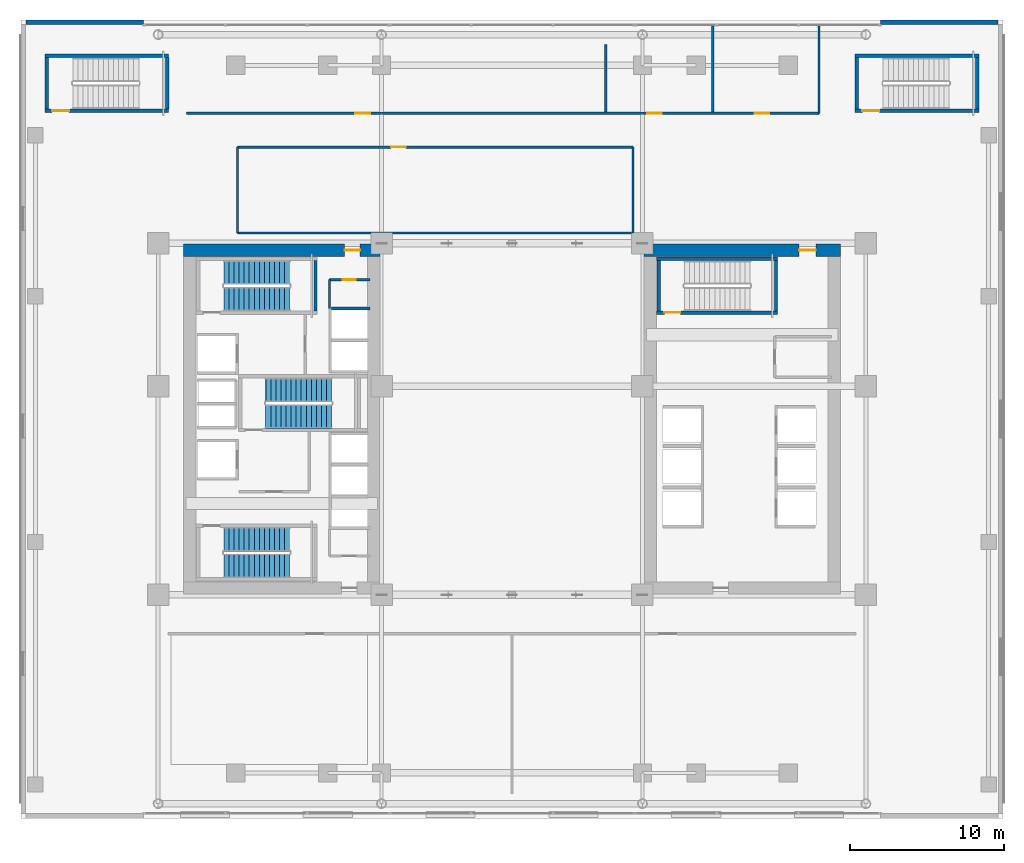
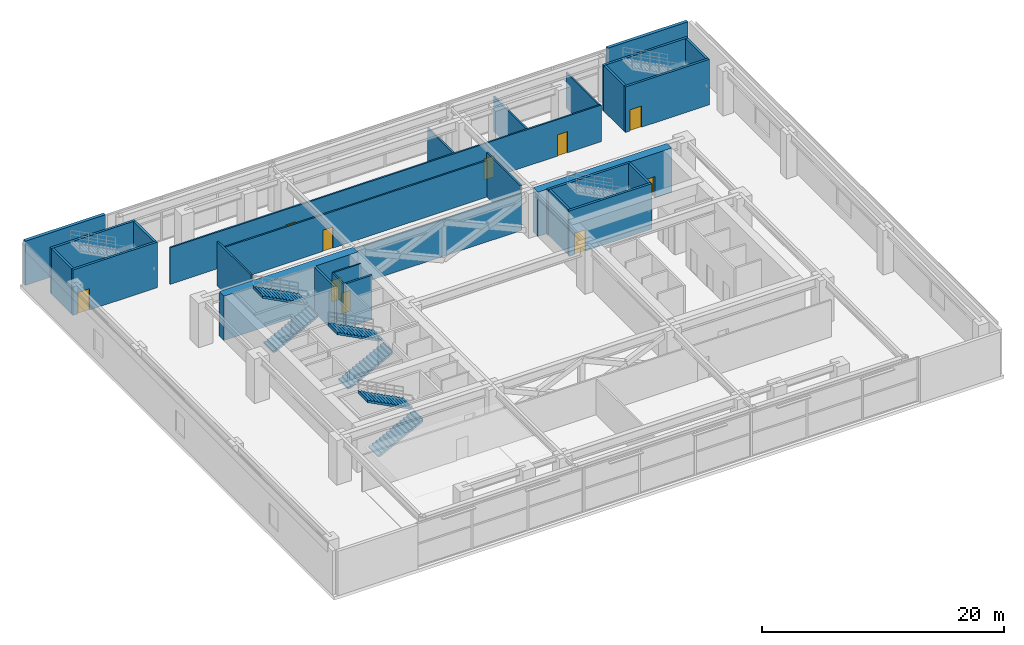
# One storey, part 21 of 28: 28 walls, 10 doors, 6 stair flights, 10 openings, 3 elements without a shape of their own.
"""IFC4 building model written with IfcOpenShell, lengths in metres."""

from ifc_helpers import new_model, si_unit, direction, frame, frame_2d, origin, place, context, subcontext, project, spatial, polyline, rectangle, outline, extrude, source, transform, mapped, material, layer, layer_set, type_object, element, fill, aggregate, save


model = new_model("IFC4")

# Units and contexts
model_context = context("Model", 3, precision=1e-05, world=origin(), true_north=direction((0.0, 1.0)))
body_context = subcontext(model_context, "Body", "Model", "MODEL_VIEW")
ifc_project = project(units=[si_unit("LENGTHUNIT", "METRE"), si_unit("AREAUNIT", "SQUARE_METRE"), si_unit("VOLUMEUNIT", "CUBIC_METRE"), si_unit("PLANEANGLEUNIT", "RADIAN"), si_unit("MASSUNIT", "GRAM", prefix="KILO")], contexts=[model_context])

# Site, building, storey
site_placement = place(None, origin())
site = spatial("IfcSite", under=ifc_project, at=site_placement, CompositionType="ELEMENT")
building_placement = place(site_placement, origin())
building = spatial("IfcBuilding", under=site, at=building_placement, Name="Ocotamira Hotel", CompositionType="ELEMENT")
storey_placement = place(building_placement, frame((0.0, 0.0, 24.0)))
storey = spatial("IfcBuildingStorey", under=building, at=storey_placement, Name="L05", CompositionType="ELEMENT", Elevation=24.0)

# Wall, opening, door
ifc_material_1 = material(Name="Concrete C60/75", Category="concrete")
ifc_layer_1 = layer(ifc_material_1, 0.800048828125)
ifc_layer_set_1 = layer_set([ifc_layer_1], Name="Concrete C60/75")
wall_type_1 = type_object("IfcWallType", Name="WL-CORE-800", PredefinedType="SHEAR", material=ifc_layer_set_1)
wall_1_placement = place(storey_placement, frame((10.60009765625, 37.0, 0.0), z_axis=(0.0, 0.0, 1.0), x_axis=(1.0, 0.0, 0.0)))
wall_1 = element("IfcWall", 1, at=wall_1_placement, inside=storey, type_object=wall_type_1, Name="L05 Shear Core Wall WCORE-N", PredefinedType="SHEAR", context=body_context, shape_type="SweptSolid", body=[
    extrude(rectangle(XDim=12.7998046875, YDim=0.800048828125, at=frame_2d((6.39990234375, 0.0))), origin(), (0.0, 0.0, 1.0), 4.47998046875),
])
opening_1_placement = place(wall_1_placement, frame((10.5, 0.0, 0.0)))
opening_1 = element("IfcOpeningElement", 2, at=opening_1_placement, cuts=wall_1, Name="Opening D-FR2", PredefinedType="OPENING", context=body_context, shape_type="SweptSolid", body=[
    extrude(rectangle(XDim=1.0, YDim=2.14990234375, at=frame_2d((0.5, 1.074951171875))), frame((0.0, 0.41015625, 0.0), z_axis=(0.0, -1.0, 0.0), x_axis=(1.0, 0.0, 0.0)), (0.0, 0.0, 1.0), 0.820068359375),
])
ifc_material_2 = material(Name="Fire-rated acoustic timber-veneer door", Category="wood")
door_type_1 = type_object("IfcDoorType", Name="DR-FIRE-1000", OperationType="NOTDEFINED", PredefinedType="DOOR", material=ifc_material_2)
shared_shape_1 = source(origin(), body_context, "Body", "SweptSolid", [
    extrude(rectangle(XDim=1.0, YDim=2.14990234375, at=frame_2d((0.5, 1.074951171875))), frame((0.0, 0.02490234375, 0.0), z_axis=(0.0, -1.0, 0.0), x_axis=(1.0, 0.0, 0.0)), (0.0, 0.0, 1.0), 0.050048828125),
])
door_1_placement = place(opening_1_placement, origin())
door_1 = element("IfcDoor", 3, at=door_1_placement, inside=storey, type_object=door_type_1, Name="L05 Door ID-L05-WLOB-N-D [ID-L05-WLOB-N-D]", OperationType="SINGLE_SWING_RIGHT", OverallHeight=2.14990234375, OverallWidth=1.0, PredefinedType="DOOR", context=body_context, shape_type="MappedRepresentation", body=[
    mapped(shared_shape_1, transform((0.0, 0.0, 0.0), scale=1.0)),
])
fill(opening_1, door_1)

wall_2_placement = place(storey_placement, frame((40.60009765625, 37.0, 0.0), z_axis=(0.0, 0.0, 1.0), x_axis=(1.0, 0.0, 0.0)))
wall_2 = element("IfcWall", 4, at=wall_2_placement, inside=storey, type_object=wall_type_1, Name="L05 Shear Core Wall ECORE-N", PredefinedType="SHEAR", context=body_context, shape_type="SweptSolid", body=[
    extrude(rectangle(XDim=12.7998046875, YDim=0.800048828125, at=frame_2d((6.39990234375, 0.0))), origin(), (0.0, 0.0, 1.0), 4.47998046875),
])
opening_2_placement = place(wall_2_placement, frame((10.10009765625, 0.0, 0.0)))
opening_2 = element("IfcOpeningElement", 5, at=opening_2_placement, cuts=wall_2, Name="Opening D-FR1", PredefinedType="OPENING", context=body_context, shape_type="SweptSolid", body=[
    extrude(rectangle(XDim=1.10009765625, YDim=2.14990234375, at=frame_2d((0.550048828125, 1.074951171875))), frame((0.0, 0.41015625, 0.0), z_axis=(0.0, -1.0, 0.0), x_axis=(1.0, 0.0, 0.0)), (0.0, 0.0, 1.0), 0.820068359375),
])
door_type_2 = type_object("IfcDoorType", Name="DR-FIRE-1100", OperationType="NOTDEFINED", PredefinedType="DOOR", material=ifc_material_2)
shared_shape_2 = source(origin(), body_context, "Body", "SweptSolid", [
    extrude(rectangle(XDim=1.10009765625, YDim=2.14990234375, at=frame_2d((0.550048828125, 1.074951171875))), frame((0.0, 0.02490234375, 0.0), z_axis=(0.0, -1.0, 0.0), x_axis=(1.0, 0.0, 0.0)), (0.0, 0.0, 1.0), 0.050048828125),
])
door_2_placement = place(opening_2_placement, origin())
door_2 = element("IfcDoor", 6, at=door_2_placement, inside=storey, type_object=door_type_2, Name="L05 Door ID-L05-ELOB-N-D [ID-L05-ELOB-N-D]", OperationType="SINGLE_SWING_LEFT", OverallHeight=2.14990234375, OverallWidth=1.10009765625, PredefinedType="DOOR", context=body_context, shape_type="MappedRepresentation", body=[
    mapped(shared_shape_2, transform((0.0, 0.0, 0.0), scale=1.0)),
])
fill(opening_2, door_2)

# Walls
ifc_material_3 = material(Name="Travertine-clad precast concrete C45/55", Category="masonry")
ifc_layer_2 = layer(ifc_material_3, 0.300048828125)
ifc_layer_set_2 = layer_set([ifc_layer_2], Name="Travertine-clad precast concrete C45/55")
wall_type_2 = type_object("IfcWallType", Name="WL-EXT-POD-300", PredefinedType="SOLIDWALL", material=ifc_layer_set_2)
for number, where, z_axis, x_axis, name in (
    (7, (0.35009765625, 51.85009765625, 0.0), (0.0, 0.0, 1.0), (1.0, 0.0, 0.0), "L05 Podium Perimeter Wall N1"),
    (8, (56.0, 51.85009765625, 0.0), (0.0, 0.0, 1.0), (1.0, 0.0, 0.0), "L05 Podium Perimeter Wall N2"),
):
    element("IfcWall", number, at=place(storey_placement, frame(where, z_axis=z_axis, x_axis=x_axis)), inside=storey, type_object=wall_type_2, Name=name, PredefinedType="SOLIDWALL", context=body_context, shape_type="SweptSolid", body=[
        extrude(rectangle(XDim=7.64990234375, YDim=0.300048828125, at=frame_2d((3.824951171875, 0.0))), origin(), (0.0, 0.0, 1.0), 4.47998046875),
    ])
ifc_material_4 = material(Name="Acoustic hospitality gypsum board partition", Category="gypsum")
ifc_layer_3 = layer(ifc_material_4, 0.14208984375)
ifc_layer_set_3 = layer_set([ifc_layer_3], Name="Acoustic hospitality gypsum board partition")
wall_type_3 = type_object("IfcWallType", Name="WL-PART-142", PredefinedType="PARTITIONING", material=ifc_layer_set_3)
wall_3_placement = place(storey_placement, frame((20.1201171875, 33.219970703125, 0.0), z_axis=(0.0, 0.0, 1.0), x_axis=(0.0, 1.0, 0.0)))
element("IfcWall", 9, at=wall_3_placement, inside=storey, type_object=wall_type_3, Name="L05 Interior Wall PW-L05-WC-NE-W2", PredefinedType="PARTITIONING", context=body_context, shape_type="SweptSolid", body=[
    extrude(rectangle(XDim=1.860107421875, YDim=0.14208984375, at=frame_2d((0.93017578125, 0.0))), origin(), (0.0, 0.0, 1.0), 4.47998046875),
])

# Wall, opening, door
wall_4_placement = place(storey_placement, frame((20.1201171875, 35.080078125, 0.0), z_axis=(0.0, 0.0, 1.0), x_axis=(1.0, 0.0, 0.0)))
wall_4 = element("IfcWall", 10, at=wall_4_placement, inside=storey, type_object=wall_type_3, Name="L05 Interior Wall PW-L05-WC-NE-N2", PredefinedType="PARTITIONING", context=body_context, shape_type="SweptSolid", body=[
    extrude(rectangle(XDim=2.6298828125, YDim=0.14208984375, at=frame_2d((1.31494140625, 0.0))), origin(), (0.0, 0.0, 1.0), 4.47998046875),
])
opening_3_placement = place(wall_4_placement, frame((0.85009765625, 0.0, 0.0)))
opening_3 = element("IfcOpeningElement", 11, at=opening_3_placement, cuts=wall_4, Name="Opening D-SV1", PredefinedType="OPENING", context=body_context, shape_type="SweptSolid", body=[
    extrude(rectangle(XDim=0.840087890625, YDim=2.10009765625, at=frame_2d((0.419921875, 1.050048828125))), frame((0.0, 0.0810546875, 0.0), z_axis=(0.0, -1.0, 0.0), x_axis=(1.0, 0.0, 0.0)), (0.0, 0.0, 1.0), 0.162109375),
])
ifc_material_5 = material(Name="Fire-rated painted steel service door", Category="steel")
door_type_3 = type_object("IfcDoorType", Name="DR-SERV-840", OperationType="NOTDEFINED", PredefinedType="DOOR", material=ifc_material_5)
shared_shape_3 = source(origin(), body_context, "Body", "SweptSolid", [
    extrude(rectangle(XDim=0.840087890625, YDim=2.10009765625, at=frame_2d((0.419921875, 1.050048828125))), frame((0.0, 0.02490234375, 0.0), z_axis=(0.0, -1.0, 0.0), x_axis=(1.0, 0.0, 0.0)), (0.0, 0.0, 1.0), 0.050048828125),
])
door_3_placement = place(opening_3_placement, origin())
door_3 = element("IfcDoor", 12, at=door_3_placement, inside=storey, type_object=door_type_3, Name="L05 Door ID-L05-WC-NE-D2 [ID-L05-WC-NE-D2]", OperationType="SINGLE_SWING_RIGHT", OverallHeight=2.10009765625, OverallWidth=0.840087890625, PredefinedType="DOOR", context=body_context, shape_type="MappedRepresentation", body=[
    mapped(shared_shape_3, transform((0.0, 0.0, 0.0), scale=1.0)),
])
fill(opening_3, door_3)

# Walls
ifc_layer_4 = layer(ifc_material_4, 0.14990234375)
ifc_layer_set_4 = layer_set([ifc_layer_4], Name="Acoustic hospitality gypsum board partition")
wall_type_4 = type_object("IfcWallType", Name="WL-PART-150", PredefinedType="PARTITIONING", material=ifc_layer_set_4)
wall_5_placement = place(storey_placement, frame((14.1201171875, 38.1201171875, 0.0), z_axis=(0.0, 0.0, 1.0), x_axis=(1.0, 0.0, 0.0)))
element("IfcWall", 13, at=wall_5_placement, inside=storey, type_object=wall_type_4, Name="L05 Interior Wall PW-L05-L05-YGS", PredefinedType="PARTITIONING", context=body_context, shape_type="SweptSolid", body=[
    extrude(rectangle(XDim=25.759765625, YDim=0.14990234375, at=frame_2d((12.8798828125, 0.0))), origin(), (0.0, 0.0, 1.0), 3.700927734375),
])
for number, where, z_axis, x_axis, name in (
    (14, (14.1201171875, 38.1201171875, 0.0), (0.0, 0.0, 1.0), (0.0, 1.0, 0.0), "L05 Interior Wall PW-L05-L05-YGW"),
    (15, (39.8798828125, 38.1201171875, 0.0), (0.0, 0.0, 1.0), (0.0, 1.0, 0.0), "L05 Interior Wall PW-L05-L05-YGE"),
):
    element("IfcWall", number, at=place(storey_placement, frame(where, z_axis=z_axis, x_axis=x_axis)), inside=storey, type_object=wall_type_4, Name=name, PredefinedType="PARTITIONING", context=body_context, shape_type="SweptSolid", body=[
        extrude(rectangle(XDim=5.599853515625, YDim=0.14990234375, at=frame_2d((2.7998046875, 0.0))), origin(), (0.0, 0.0, 1.0), 4.47998046875),
    ])

# Wall, opening, door
wall_6_placement = place(storey_placement, frame((14.1201171875, 43.719970703125, 0.0), z_axis=(0.0, 0.0, 1.0), x_axis=(1.0, 0.0, 0.0)))
wall_6 = element("IfcWall", 16, at=wall_6_placement, inside=storey, type_object=wall_type_4, Name="L05 Interior Wall PW-L05-L05-YGN", PredefinedType="PARTITIONING", context=body_context, shape_type="SweptSolid", body=[
    extrude(rectangle(XDim=25.759765625, YDim=0.14990234375, at=frame_2d((12.8798828125, 0.0))), origin(), (0.0, 0.0, 1.0), 3.700927734375),
])
opening_4_placement = place(wall_6_placement, frame((10.0, 0.0, 0.0)))
opening_4 = element("IfcOpeningElement", 17, at=opening_4_placement, cuts=wall_6, Name="Opening D-SV4", PredefinedType="OPENING", context=body_context, shape_type="SweptSolid", body=[
    extrude(rectangle(XDim=0.9599609375, YDim=2.14990234375, at=frame_2d((0.47998046875, 1.074951171875))), frame((0.0, 0.0849609375, 0.0), z_axis=(0.0, -1.0, 0.0), x_axis=(1.0, 0.0, 0.0)), (0.0, 0.0, 1.0), 0.169921875),
])
ifc_material_6 = material(Name="Fire-rated accessible walnut salon door", Category="wood")
door_type_4 = type_object("IfcDoorType", Name="DR-SERV-960", OperationType="NOTDEFINED", PredefinedType="DOOR", material=ifc_material_6)
shared_shape_4 = source(origin(), body_context, "Body", "SweptSolid", [
    extrude(rectangle(XDim=0.9599609375, YDim=2.14990234375, at=frame_2d((0.47998046875, 1.074951171875))), frame((0.0, 0.02490234375, 0.0), z_axis=(0.0, -1.0, 0.0), x_axis=(1.0, 0.0, 0.0)), (0.0, 0.0, 1.0), 0.050048828125),
])
door_4_placement = place(opening_4_placement, origin())
door_4 = element("IfcDoor", 18, at=door_4_placement, inside=storey, type_object=door_type_4, Name="L05 Door ID-L05-L05-YGD [ID-L05-L05-YGD]", OperationType="SINGLE_SWING_LEFT", OverallHeight=2.14990234375, OverallWidth=0.9599609375, PredefinedType="DOOR", context=body_context, shape_type="MappedRepresentation", body=[
    mapped(shared_shape_4, transform((0.0, 0.0, 0.0), scale=1.0)),
])
fill(opening_4, door_4)

# Walls
wall_7_placement = place(storey_placement, frame((38.10009765625, 46.0, 0.0), z_axis=(0.0, 0.0, 1.0), x_axis=(0.0, 1.0, 0.0)))
element("IfcWall", 19, at=wall_7_placement, inside=storey, type_object=wall_type_4, Name="L05 Interior Wall PW-L05-L05-N-DIV1", PredefinedType="PARTITIONING", context=body_context, shape_type="SweptSolid", body=[
    extrude(rectangle(XDim=4.39990234375, YDim=0.14990234375, at=frame_2d((2.199951171875, 0.0))), origin(), (0.0, 0.0, 1.0), 3.531982421875),
])
wall_8_placement = place(storey_placement, frame((45.080078125, 46.0, 0.0), z_axis=(0.0, 0.0, 1.0), x_axis=(0.0, 1.0, 0.0)))
element("IfcWall", 20, at=wall_8_placement, inside=storey, type_object=wall_type_4, Name="L05 Interior Wall PW-L05-L05-N-DIV2", PredefinedType="PARTITIONING", context=body_context, shape_type="SweptSolid", body=[
    extrude(rectangle(XDim=5.60009765625, YDim=0.14990234375, at=frame_2d((2.800048828125, 0.0))), origin(), (0.0, 0.0, 1.0), 3.552978515625),
])
wall_9_placement = place(storey_placement, frame((52.0, 45.919921875, 0.0), z_axis=(0.0, 0.0, 1.0), x_axis=(0.0, 1.0, 0.0)))
element("IfcWall", 21, at=wall_9_placement, inside=storey, type_object=wall_type_4, Name="L05 Interior Wall PW-L05-L05-N-EAST", PredefinedType="PARTITIONING", context=body_context, shape_type="SweptSolid", body=[
    extrude(rectangle(XDim=5.68017578125, YDim=0.14990234375, at=frame_2d((2.840087890625, 0.0))), origin(), (0.0, 0.0, 1.0), 3.552978515625),
])

# Wall, openings, doors
wall_10_placement = place(storey_placement, frame((10.800048828125, 45.919921875, 0.0), z_axis=(0.0, 0.0, 1.0), x_axis=(1.0, 0.0, 0.0)))
wall_10 = element("IfcWall", 22, at=wall_10_placement, inside=storey, type_object=wall_type_4, Name="L05 Interior Wall PW-L05-L05-N-WALL", PredefinedType="PARTITIONING", context=body_context, shape_type="SweptSolid", body=[
    extrude(rectangle(XDim=41.199951171875, YDim=0.14990234375, at=frame_2d((20.60009765625, 0.0))), origin(), (0.0, 0.0, 1.0), 3.700927734375),
])
opening_5_placement = place(wall_10_placement, frame((11.0, 0.0, 0.0)))
opening_5 = element("IfcOpeningElement", 23, at=opening_5_placement, cuts=wall_10, Name="Opening D-SV4", PredefinedType="OPENING", context=body_context, shape_type="SweptSolid", body=[
    extrude(rectangle(XDim=0.9599609375, YDim=2.14990234375, at=frame_2d((0.47998046875, 1.074951171875))), frame((0.0, 0.0849609375, 0.0), z_axis=(0.0, -1.0, 0.0), x_axis=(1.0, 0.0, 0.0)), (0.0, 0.0, 1.0), 0.169921875),
])
opening_6_placement = place(wall_10_placement, frame((30.0, 0.0, 0.0)))
opening_6 = element("IfcOpeningElement", 24, at=opening_6_placement, cuts=wall_10, Name="Opening D-SV4", PredefinedType="OPENING", context=body_context, shape_type="SweptSolid", body=[
    extrude(rectangle(XDim=0.9599609375, YDim=2.14990234375, at=frame_2d((0.47998046875, 1.074951171875))), frame((0.0, 0.0849609375, 0.0), z_axis=(0.0, -1.0, 0.0), x_axis=(1.0, 0.0, 0.0)), (0.0, 0.0, 1.0), 0.169921875),
])
opening_7_placement = place(wall_10_placement, frame((37.0, 0.0, 0.0)))
opening_7 = element("IfcOpeningElement", 25, at=opening_7_placement, cuts=wall_10, Name="Opening D-SV4", PredefinedType="OPENING", context=body_context, shape_type="SweptSolid", body=[
    extrude(rectangle(XDim=0.9599609375, YDim=2.14990234375, at=frame_2d((0.47998046875, 1.074951171875))), frame((0.0, 0.0849609375, 0.0), z_axis=(0.0, -1.0, 0.0), x_axis=(1.0, 0.0, 0.0)), (0.0, 0.0, 1.0), 0.169921875),
])
door_5_placement = place(opening_5_placement, origin())
door_5 = element("IfcDoor", 26, at=door_5_placement, inside=storey, type_object=door_type_4, Name="L05 Door ID-L05-L05-ADM-D [ID-L05-L05-ADM-D]", OperationType="SINGLE_SWING_LEFT", OverallHeight=2.14990234375, OverallWidth=0.9599609375, PredefinedType="DOOR", context=body_context, shape_type="MappedRepresentation", body=[
    mapped(shared_shape_4, transform((0.0, 0.0, 0.0), scale=1.0)),
])
fill(opening_5, door_5)
door_6_placement = place(opening_6_placement, origin())
door_6 = element("IfcDoor", 27, at=door_6_placement, inside=storey, type_object=door_type_4, Name="L05 Door ID-L05-L05-WC-D [ID-L05-L05-WC-D]", OperationType="SINGLE_SWING_RIGHT", OverallHeight=2.14990234375, OverallWidth=0.9599609375, PredefinedType="DOOR", context=body_context, shape_type="MappedRepresentation", body=[
    mapped(shared_shape_4, transform((0.0, 0.0, 0.0), scale=1.0)),
])
fill(opening_6, door_6)
door_7_placement = place(opening_7_placement, origin())
door_7 = element("IfcDoor", 28, at=door_7_placement, inside=storey, type_object=door_type_4, Name="L05 Door ID-L05-L05-AWC-D [ID-L05-L05-AWC-D]", OperationType="SINGLE_SWING_LEFT", OverallHeight=2.14990234375, OverallWidth=0.9599609375, PredefinedType="DOOR", context=body_context, shape_type="MappedRepresentation", body=[
    mapped(shared_shape_4, transform((0.0, 0.0, 0.0), scale=1.0)),
])
fill(opening_7, door_7)

# Walls
ifc_material_7 = material(Name="Fire-rated gypsum shaftliner board assembly", Category="gypsum")
ifc_layer_5 = layer(ifc_material_7, 0.179931640625)
ifc_layer_set_5 = layer_set([ifc_layer_5], Name="Fire-rated gypsum shaftliner board assembly")
wall_type_5 = type_object("IfcWallType", Name="WL-SHAFT-180", PredefinedType="SOLIDWALL", material=ifc_layer_set_5)
wall_11_placement = place(storey_placement, frame((20.25, 33.199951171875, 0.0), z_axis=(0.0, 0.0, 1.0), x_axis=(1.0, 0.0, 0.0)))
element("IfcWall", 29, at=wall_11_placement, inside=storey, type_object=wall_type_5, Name="L05 Interior Wall PW-L05-LFW-BANK-obs-N", PredefinedType="SOLIDWALL", context=body_context, shape_type="SweptSolid", body=[
    extrude(rectangle(XDim=2.5, YDim=0.179931640625, at=frame_2d((1.25, 0.0))), origin(), (0.0, 0.0, 1.0), 4.47998046875),
])
ifc_material_8 = material(Name="Concrete C50/60", Category="concrete")
ifc_layer_6 = layer(ifc_material_8, 0.219970703125)
ifc_layer_set_6 = layer_set([ifc_layer_6], Name="Concrete C50/60")
wall_type_6 = type_object("IfcWallType", Name="WL-STAIR-220", PredefinedType="SHEAR", material=ifc_layer_set_6)
wall_12_placement = place(storey_placement, frame((19.199951171875, 33.050048828125, 0.0), z_axis=(0.0, 0.0, 1.0), x_axis=(0.0, 1.0, 0.0)))
element("IfcWall", 30, at=wall_12_placement, inside=storey, type_object=wall_type_6, Name="L05 Stair Shaft Structural Wall ST-2-E", PredefinedType="SHEAR", context=body_context, shape_type="SweptSolid", body=[
    extrude(rectangle(XDim=3.280029296875, YDim=0.219970703125, at=frame_2d((1.64013671875, 0.0))), origin(), (0.0, 0.0, 1.0), 4.60009765625),
])

# Wall, opening, door
wall_13_placement = place(storey_placement, frame((41.39990234375, 32.93994140625, 0.0), z_axis=(0.0, 0.0, 1.0), x_axis=(1.0, 0.0, 0.0)))
wall_13 = element("IfcWall", 31, at=wall_13_placement, inside=storey, type_object=wall_type_6, Name="L05 Stair Shaft Structural Wall ST-4-S", PredefinedType="SHEAR", context=body_context, shape_type="SweptSolid", body=[
    extrude(rectangle(XDim=7.91015625, YDim=0.219970703125, at=frame_2d((3.955078125, 0.0))), origin(), (0.0, 0.0, 1.0), 4.60009765625),
])
opening_8_placement = place(wall_13_placement, frame((0.52001953125, 0.0, 0.0)))
opening_8 = element("IfcOpeningElement", 32, at=opening_8_placement, cuts=wall_13, Name="Opening D-ST2", PredefinedType="OPENING", context=body_context, shape_type="SweptSolid", body=[
    extrude(rectangle(XDim=1.050048828125, YDim=2.14990234375, at=frame_2d((0.52490234375, 1.074951171875))), frame((0.0, 0.1201171875, 0.0), z_axis=(0.0, -1.0, 0.0), x_axis=(1.0, 0.0, 0.0)), (0.0, 0.0, 1.0), 0.239990234375),
])
ifc_material_9 = material(Name="Insulated painted hollow-metal fire exit door", Category="steel")
door_type_5 = type_object("IfcDoorType", Name="DR-STAIR-1050", OperationType="NOTDEFINED", PredefinedType="DOOR", material=ifc_material_9)
shared_shape_5 = source(origin(), body_context, "Body", "SweptSolid", [
    extrude(rectangle(XDim=1.050048828125, YDim=2.14990234375, at=frame_2d((0.52490234375, 1.074951171875))), frame((0.0, 0.02490234375, 0.0), z_axis=(0.0, -1.0, 0.0), x_axis=(1.0, 0.0, 0.0)), (0.0, 0.0, 1.0), 0.050048828125),
])
door_8_placement = place(opening_8_placement, origin())
door_8 = element("IfcDoor", 33, at=door_8_placement, inside=storey, type_object=door_type_5, Name="L05 Door ID-L05-STD-ST-4 [ID-L05-STD-ST-4]", OperationType="SINGLE_SWING_LEFT", OverallHeight=2.14990234375, OverallWidth=1.050048828125, PredefinedType="DOOR", context=body_context, shape_type="MappedRepresentation", body=[
    mapped(shared_shape_5, transform((0.0, 0.0, 0.0), scale=1.0)),
])
fill(opening_8, door_8)

# Walls
wall_14_placement = place(storey_placement, frame((41.39990234375, 36.43994140625, 0.0), z_axis=(0.0, 0.0, 1.0), x_axis=(1.0, 0.0, 0.0)))
element("IfcWall", 34, at=wall_14_placement, inside=storey, type_object=wall_type_6, Name="L05 Stair Shaft Structural Wall ST-4-N", PredefinedType="SHEAR", context=body_context, shape_type="SweptSolid", body=[
    extrude(rectangle(XDim=7.91015625, YDim=0.219970703125, at=frame_2d((3.955078125, 0.0))), origin(), (0.0, 0.0, 1.0), 4.60009765625),
])
for number, where, z_axis, x_axis, name in (
    (35, (41.56005859375, 33.050048828125, 0.0), (0.0, 0.0, 1.0), (0.0, 1.0, 0.0), "L05 Stair Shaft Structural Wall ST-4-W"),
    (36, (49.199951171875, 33.050048828125, 0.0), (0.0, 0.0, 1.0), (0.0, 1.0, 0.0), "L05 Stair Shaft Structural Wall ST-4-E"),
):
    element("IfcWall", number, at=place(storey_placement, frame(where, z_axis=z_axis, x_axis=x_axis)), inside=storey, type_object=wall_type_6, Name=name, PredefinedType="SHEAR", context=body_context, shape_type="SweptSolid", body=[
        extrude(rectangle(XDim=3.280029296875, YDim=0.219970703125, at=frame_2d((1.64013671875, 0.0))), origin(), (0.0, 0.0, 1.0), 4.60009765625),
    ])

# Wall, opening, door
wall_15_placement = place(storey_placement, frame((1.580078125, 46.090087890625, 0.0), z_axis=(0.0, 0.0, 1.0), x_axis=(1.0, 0.0, 0.0)))
wall_15 = element("IfcWall", 37, at=wall_15_placement, inside=storey, type_object=wall_type_6, Name="L05 Stair Shaft Structural Wall ST-5-S", PredefinedType="SHEAR", context=body_context, shape_type="SweptSolid", body=[
    extrude(rectangle(XDim=8.059814453125, YDim=0.219970703125, at=frame_2d((4.02978515625, 0.0))), origin(), (0.0, 0.0, 1.0), 4.60009765625),
])
opening_9_placement = place(wall_15_placement, frame((0.469970703125, 0.0, 0.0)))
opening_9 = element("IfcOpeningElement", 38, at=opening_9_placement, cuts=wall_15, Name="Opening D-ST1", PredefinedType="OPENING", context=body_context, shape_type="SweptSolid", body=[
    extrude(rectangle(XDim=1.10009765625, YDim=2.14990234375, at=frame_2d((0.550048828125, 1.074951171875))), frame((0.0, 0.1201171875, 0.0), z_axis=(0.0, -1.0, 0.0), x_axis=(1.0, 0.0, 0.0)), (0.0, 0.0, 1.0), 0.239990234375),
])
door_type_6 = type_object("IfcDoorType", Name="DR-STAIR-1100", OperationType="NOTDEFINED", PredefinedType="DOOR", material=ifc_material_9)
door_9_placement = place(opening_9_placement, origin())
door_9 = element("IfcDoor", 39, at=door_9_placement, inside=storey, type_object=door_type_6, Name="L05 Door ID-L05-STD-ST-5 [ID-L05-STD-ST-5]", OperationType="SINGLE_SWING_RIGHT", OverallHeight=2.14990234375, OverallWidth=1.10009765625, PredefinedType="DOOR", context=body_context, shape_type="MappedRepresentation", body=[
    mapped(shared_shape_2, transform((0.0, 0.0, 0.0), scale=1.0)),
])
fill(opening_9, door_9)

# Walls
wall_16_placement = place(storey_placement, frame((1.580078125, 49.669921875, 0.0), z_axis=(0.0, 0.0, 1.0), x_axis=(1.0, 0.0, 0.0)))
element("IfcWall", 40, at=wall_16_placement, inside=storey, type_object=wall_type_6, Name="L05 Stair Shaft Structural Wall ST-5-N", PredefinedType="SHEAR", context=body_context, shape_type="SweptSolid", body=[
    extrude(rectangle(XDim=8.059814453125, YDim=0.219970703125, at=frame_2d((4.02978515625, 0.0))), origin(), (0.0, 0.0, 1.0), 4.60009765625),
])
for number, where, z_axis, x_axis, name in (
    (41, (1.68994140625, 46.199951171875, 0.0), (0.0, 0.0, 1.0), (0.0, 1.0, 0.0), "L05 Stair Shaft Structural Wall ST-5-W"),
    (42, (9.530029296875, 46.199951171875, 0.0), (0.0, 0.0, 1.0), (0.0, 1.0, 0.0), "L05 Stair Shaft Structural Wall ST-5-E"),
):
    element("IfcWall", number, at=place(storey_placement, frame(where, z_axis=z_axis, x_axis=x_axis)), inside=storey, type_object=wall_type_6, Name=name, PredefinedType="SHEAR", context=body_context, shape_type="SweptSolid", body=[
        extrude(rectangle(XDim=3.360107421875, YDim=0.219970703125, at=frame_2d((1.68017578125, 0.0))), origin(), (0.0, 0.0, 1.0), 4.60009765625),
    ])

# Wall, opening, door
wall_17_placement = place(storey_placement, frame((54.360107421875, 46.090087890625, 0.0), z_axis=(0.0, 0.0, 1.0), x_axis=(1.0, 0.0, 0.0)))
wall_17 = element("IfcWall", 43, at=wall_17_placement, inside=storey, type_object=wall_type_6, Name="L05 Stair Shaft Structural Wall ST-6-S", PredefinedType="SHEAR", context=body_context, shape_type="SweptSolid", body=[
    extrude(rectangle(XDim=8.059814453125, YDim=0.219970703125, at=frame_2d((4.02978515625, 0.0))), origin(), (0.0, 0.0, 1.0), 4.60009765625),
])
opening_10_placement = place(wall_17_placement, frame((0.469970703125, 0.0, 0.0)))
opening_10 = element("IfcOpeningElement", 44, at=opening_10_placement, cuts=wall_17, Name="Opening D-ST1", PredefinedType="OPENING", context=body_context, shape_type="SweptSolid", body=[
    extrude(rectangle(XDim=1.10009765625, YDim=2.14990234375, at=frame_2d((0.550048828125, 1.074951171875))), frame((0.0, 0.1201171875, 0.0), z_axis=(0.0, -1.0, 0.0), x_axis=(1.0, 0.0, 0.0)), (0.0, 0.0, 1.0), 0.239990234375),
])
door_10_placement = place(opening_10_placement, origin())
door_10 = element("IfcDoor", 45, at=door_10_placement, inside=storey, type_object=door_type_6, Name="L05 Door ID-L05-STD-ST-6 [ID-L05-STD-ST-6]", OperationType="SINGLE_SWING_LEFT", OverallHeight=2.14990234375, OverallWidth=1.10009765625, PredefinedType="DOOR", context=body_context, shape_type="MappedRepresentation", body=[
    mapped(shared_shape_2, transform((0.0, 0.0, 0.0), scale=1.0)),
])
fill(opening_10, door_10)

# Walls
wall_18_placement = place(storey_placement, frame((54.360107421875, 49.669921875, 0.0), z_axis=(0.0, 0.0, 1.0), x_axis=(1.0, 0.0, 0.0)))
element("IfcWall", 46, at=wall_18_placement, inside=storey, type_object=wall_type_6, Name="L05 Stair Shaft Structural Wall ST-6-N", PredefinedType="SHEAR", context=body_context, shape_type="SweptSolid", body=[
    extrude(rectangle(XDim=8.059814453125, YDim=0.219970703125, at=frame_2d((4.02978515625, 0.0))), origin(), (0.0, 0.0, 1.0), 4.60009765625),
])
for number, where, z_axis, x_axis, name in (
    (47, (54.469970703125, 46.199951171875, 0.0), (0.0, 0.0, 1.0), (0.0, 1.0, 0.0), "L05 Stair Shaft Structural Wall ST-6-W"),
    (48, (62.31005859375, 46.199951171875, 0.0), (0.0, 0.0, 1.0), (0.0, 1.0, 0.0), "L05 Stair Shaft Structural Wall ST-6-E"),
):
    element("IfcWall", number, at=place(storey_placement, frame(where, z_axis=z_axis, x_axis=x_axis)), inside=storey, type_object=wall_type_6, Name=name, PredefinedType="SHEAR", context=body_context, shape_type="SweptSolid", body=[
        extrude(rectangle(XDim=3.360107421875, YDim=0.219970703125, at=frame_2d((1.68017578125, 0.0))), origin(), (0.0, 0.0, 1.0), 4.60009765625),
    ])

# Stair, stair flights
ifc_material_10 = material(Name="Concrete C40/50", Category="concrete")
stair_type = type_object("IfcStairType", Name="ST-CORE-1560", PredefinedType="HALF_TURN_STAIR", material=ifc_material_10)
stair_1_placement = place(storey_placement, origin())
stair_1 = element("IfcStair", 49, at=stair_1_placement, inside=storey, type_object=stair_type, Name="L05 Exit Stair ST-1", PredefinedType="HALF_TURN_STAIR")
stair_flight_type = type_object("IfcStairFlightType", Name="STF-CORE-1560", PredefinedType="STRAIGHT", material=ifc_material_10)
shared_shape_6 = source(origin(), body_context, "Body", "SweptSolid", [
    extrude(outline(polyline([(-0.00390625, 0.0), (-0.00390625, 0.17138671875), (0.330078125, 0.17138671875), (0.330078125, 0.3427734375), (0.659912109375, 0.3427734375), (0.659912109375, 0.514404296875), (0.989990234375, 0.514404296875), (0.989990234375, 0.685791015625), (1.320068359375, 0.685791015625), (1.320068359375, 0.857177734375), (1.64990234375, 0.857177734375), (1.64990234375, 1.028564453125), (1.97998046875, 1.028564453125), (1.97998046875, 1.199951171875), (2.31005859375, 1.199951171875), (2.31005859375, 1.371337890625), (2.639892578125, 1.371337890625), (2.639892578125, 1.54296875), (2.969970703125, 1.54296875), (2.969970703125, 1.71435546875), (3.300048828125, 1.71435546875), (3.300048828125, 1.8857421875), (3.6298828125, 1.8857421875), (3.6298828125, 2.05712890625), (3.9599609375, 2.05712890625), (3.9599609375, 2.228515625), (4.2900390625, 2.228515625), (4.2900390625, 2.39990234375), (4.2939453125, 2.39990234375), (4.2939453125, 2.0595703125), (0.3251953125, 0.0), (-0.00390625, 0.0)])), frame((0.0, 0.780029296875, 0.0), z_axis=(0.0, -1.0, 0.0), x_axis=(1.0, 0.0, 0.0)), (0.0, 0.0, 1.0), 1.56005859375),
])
stair_flight_1_placement = place(storey_placement, frame((13.22998046875, 16.449951171875, 0.0), z_axis=(0.0, 0.0, 1.0), x_axis=(1.0, 0.0, 0.0)))
stair_flight_1 = element("IfcStairFlight", 50, at=stair_flight_1_placement, type_object=stair_flight_type, Name="ST-1 flight 1", NumberOfRisers=14, NumberOfTreads=13, PredefinedType="STRAIGHT", RiserHeight=0.171428571, TreadLength=0.33, context=body_context, shape_type="MappedRepresentation", body=[
    mapped(shared_shape_6, transform((0.0, 0.0, 0.0), scale=1.0)),
])
stair_flight_2_placement = place(storey_placement, frame((17.52001953125, 18.169921875, 2.39990234375), z_axis=(0.0, 0.0, 1.0), x_axis=(-1.0, 0.0, 0.0)))
stair_flight_2 = element("IfcStairFlight", 51, at=stair_flight_2_placement, type_object=stair_flight_type, Name="ST-1 flight 2", NumberOfRisers=14, NumberOfTreads=13, PredefinedType="STRAIGHT", RiserHeight=0.171428571, TreadLength=0.33, context=body_context, shape_type="MappedRepresentation", body=[
    mapped(shared_shape_6, transform((0.0, 0.0, 0.0), scale=1.0)),
])
aggregate(stair_1, [stair_flight_1, stair_flight_2])

stair_2_placement = place(storey_placement, origin())
stair_2 = element("IfcStair", 52, at=stair_2_placement, inside=storey, type_object=stair_type, Name="L05 Exit Stair ST-2", PredefinedType="HALF_TURN_STAIR")
stair_flight_3_placement = place(storey_placement, frame((13.22998046875, 33.830078125, 0.0), z_axis=(0.0, 0.0, 1.0), x_axis=(1.0, 0.0, 0.0)))
stair_flight_3 = element("IfcStairFlight", 53, at=stair_flight_3_placement, type_object=stair_flight_type, Name="ST-2 flight 1", NumberOfRisers=14, NumberOfTreads=13, PredefinedType="STRAIGHT", RiserHeight=0.171428571, TreadLength=0.33, context=body_context, shape_type="MappedRepresentation", body=[
    mapped(shared_shape_6, transform((0.0, 0.0, 0.0), scale=1.0)),
])
stair_flight_4_placement = place(storey_placement, frame((17.52001953125, 35.550048828125, 2.39990234375), z_axis=(0.0, 0.0, 1.0), x_axis=(-1.0, 0.0, 0.0)))
stair_flight_4 = element("IfcStairFlight", 54, at=stair_flight_4_placement, type_object=stair_flight_type, Name="ST-2 flight 2", NumberOfRisers=14, NumberOfTreads=13, PredefinedType="STRAIGHT", RiserHeight=0.171428571, TreadLength=0.33, context=body_context, shape_type="MappedRepresentation", body=[
    mapped(shared_shape_6, transform((0.0, 0.0, 0.0), scale=1.0)),
])
aggregate(stair_2, [stair_flight_3, stair_flight_4])

stair_3_placement = place(storey_placement, origin())
stair_3 = element("IfcStair", 55, at=stair_3_placement, inside=storey, type_object=stair_type, Name="L05 Exit Stair ST-3", PredefinedType="HALF_TURN_STAIR")
stair_flight_5_placement = place(storey_placement, frame((15.9599609375, 26.179931640625, 0.0), z_axis=(0.0, 0.0, 1.0), x_axis=(1.0, 0.0, 0.0)))
stair_flight_5 = element("IfcStairFlight", 56, at=stair_flight_5_placement, type_object=stair_flight_type, Name="ST-3 flight 1", NumberOfRisers=14, NumberOfTreads=13, PredefinedType="STRAIGHT", RiserHeight=0.171428571, TreadLength=0.33, context=body_context, shape_type="MappedRepresentation", body=[
    mapped(shared_shape_6, transform((0.0, 0.0, 0.0), scale=1.0)),
])
stair_flight_6_placement = place(storey_placement, frame((20.25, 27.89990234375, 2.39990234375), z_axis=(0.0, 0.0, 1.0), x_axis=(-1.0, 0.0, 0.0)))
stair_flight_6 = element("IfcStairFlight", 57, at=stair_flight_6_placement, type_object=stair_flight_type, Name="ST-3 flight 2", NumberOfRisers=14, NumberOfTreads=13, PredefinedType="STRAIGHT", RiserHeight=0.171428571, TreadLength=0.33, context=body_context, shape_type="MappedRepresentation", body=[
    mapped(shared_shape_6, transform((0.0, 0.0, 0.0), scale=1.0)),
])
aggregate(stair_3, [stair_flight_5, stair_flight_6])

save(model, "model.ifc")
